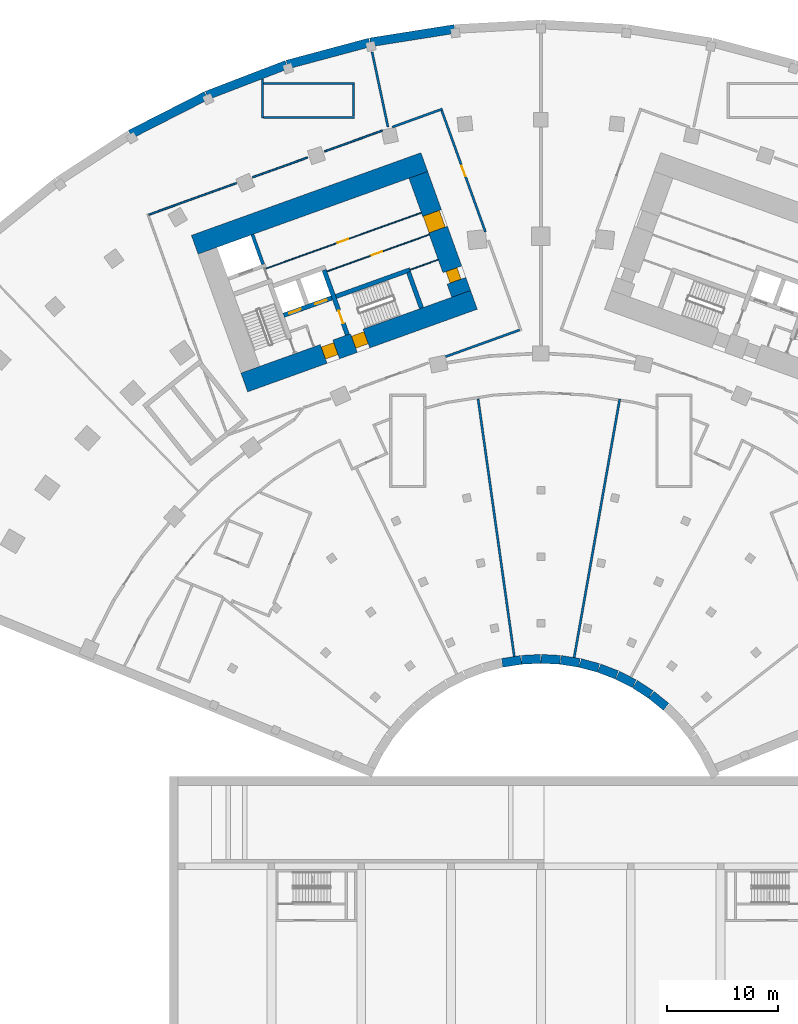
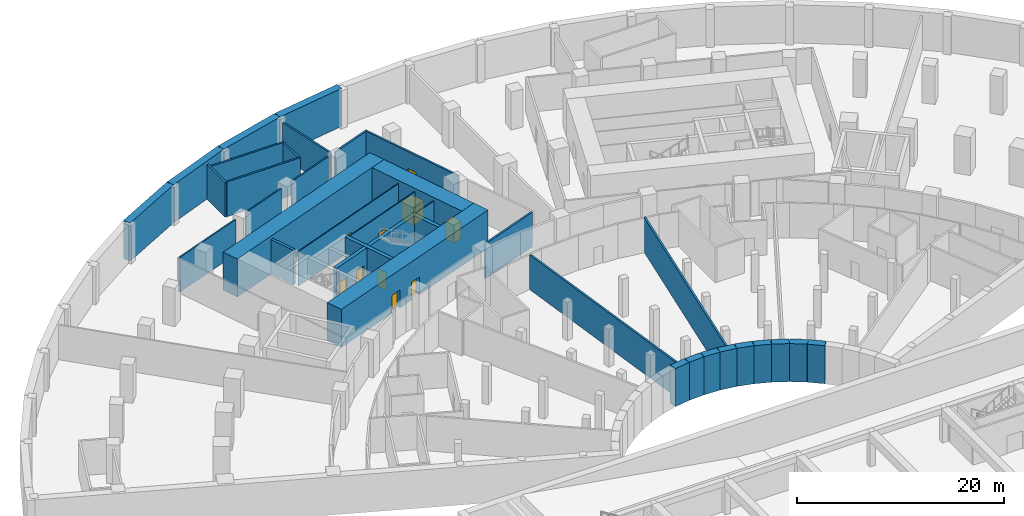
# One storey, part 9 of 21: 36 walls, 10 doors, 10 openings.
"""IFC4 building model written with IfcOpenShell, lengths in metres."""

import ifcopenshell
import ifcopenshell.guid

model = None  # the IFC model being written
_history = None  # IfcOwnerHistory: only IFC2X3 demands one
_inside = {}  # id of a spatial element -> (the spatial element, [elements in it])
_under = {}  # id of a project, library or spatial element -> (it, [spatial elements below it])
_declared = {}  # id of a project -> (the project, [libraries it declares])
_typed = {}  # id of a type object -> (the type object, [elements of that type])
_made_of = {}  # id of a material, layer set ... -> (it, [elements and type objects made of it])


def new_model(schema):
    """Start an empty IFC model of exactly this schema.

    Asked for "IFC4X3", IfcOpenShell would pick the latest addendum, in which some entities
    have other attributes; the version numbers below select the first issue.
    IFC2X3 requires an IfcOwnerHistory on every rooted entity: one is made here for all.
    """
    global model, _history
    if schema == "IFC4X3":
        model = ifcopenshell.file(schema_version=(4, 3, 0, 0))
    else:
        model = ifcopenshell.file(schema=schema)
    _inside.clear()
    _under.clear()
    _declared.clear()
    _typed.clear()
    _made_of.clear()
    _history = None
    if model.schema == "IFC2X3":
        org = make("IfcOrganization", Name="unknown")
        user = make(
            "IfcPersonAndOrganization",
            ThePerson=make("IfcPerson", FamilyName="unknown"),
            TheOrganization=org,
        )
        app = make(
            "IfcApplication",
            ApplicationDeveloper=org,
            Version="unknown",
            ApplicationFullName="unknown",
            ApplicationIdentifier="unknown",
        )
        _history = make(
            "IfcOwnerHistory",
            OwningUser=user,
            OwningApplication=app,
            ChangeAction="ADDED",
            CreationDate=0,
        )
    return model


def make(cls, **values):
    """One entity of the class cls with the attributes given. An attribute that is None is left unset."""
    return model.create_entity(
        cls, **{name: value for name, value in values.items() if value is not None}
    )


def rooted(cls, **values):
    """An entity with a GlobalId (a new one), such as an element, a storey or a relation."""
    return make(cls, GlobalId=ifcopenshell.guid.new(), OwnerHistory=_history, **values)


def si_unit(unit_type, name, prefix=None):
    """IfcSIUnit, for example si_unit("LENGTHUNIT", "METRE", prefix="MILLI")."""
    return make("IfcSIUnit", UnitType=unit_type, Prefix=prefix, Name=name)


def assignment(units):
    """IfcUnitAssignment: the units of a project."""
    return None if units is None else make("IfcUnitAssignment", Units=units)


def point(xyz):
    """IfcCartesianPoint."""
    return None if xyz is None else make("IfcCartesianPoint", Coordinates=xyz)


def direction(xyz):
    """IfcDirection."""
    return None if xyz is None else make("IfcDirection", DirectionRatios=xyz)


def frame(location, z_axis=None, x_axis=None):
    """IfcAxis2Placement3D, a coordinate frame: its origin and axes. An axis left out is left unset."""
    return make(
        "IfcAxis2Placement3D",
        Location=point(location),
        Axis=direction(z_axis),
        RefDirection=direction(x_axis),
    )


def frame_2d(location, x_axis=None):
    """IfcAxis2Placement2D, a coordinate frame in the plane: its origin and x axis."""
    return make(
        "IfcAxis2Placement2D", Location=point(location), RefDirection=direction(x_axis)
    )


def origin():
    """The frame at (0, 0, 0) with its axes left unset."""
    return frame((0.0, 0.0, 0.0))


def place(relative_to, where):
    """IfcLocalPlacement: puts the frame where relative to a parent placement (None: the world)."""
    return make(
        "IfcLocalPlacement", PlacementRelTo=relative_to, RelativePlacement=where
    )


def context(
    kind, dimensions, precision=None, world=None, true_north=None, identifier=None
):
    """IfcGeometricRepresentationContext, for example the 3D "Model" context."""
    return make(
        "IfcGeometricRepresentationContext",
        ContextIdentifier=identifier,
        ContextType=kind,
        CoordinateSpaceDimension=dimensions,
        Precision=precision,
        WorldCoordinateSystem=world,
        TrueNorth=true_north,
    )


def subcontext(parent, identifier, kind, view, scale=None):
    """IfcGeometricRepresentationSubContext, for example "Body" below "Model"."""
    return make(
        "IfcGeometricRepresentationSubContext",
        ContextIdentifier=identifier,
        ContextType=kind,
        ParentContext=parent,
        TargetScale=scale,
        TargetView=view,
    )


def project(units=None, contexts=None):
    """IfcProject with its units and contexts."""
    return rooted(
        "IfcProject",
        Name="project",
        RepresentationContexts=contexts,
        UnitsInContext=assignment(units),
    )


def spatial(cls, under=None, at=None, **own):
    """A site, building, storey or space (cls), placed at a placement, below another one or the project."""
    s = rooted(cls, ObjectPlacement=at, **own)
    if under is not None:
        _under.setdefault(under.id(), (under, []))[1].append(s)
    return s


def profile(cls, at=None, kind="AREA", **sizes):
    """A parametric profile (cls). Its sizes go by their IFC names, for example OverallWidth=200.0."""
    return make(cls, ProfileType=kind, Position=at, **sizes)


def rectangle(**sizes):
    """IfcRectangleProfileDef."""
    return profile("IfcRectangleProfileDef", **sizes)


def extrude(swept, where, along, depth):
    """IfcExtrudedAreaSolid: the profile swept, set in the frame where, extruded along a direction by depth."""
    return make(
        "IfcExtrudedAreaSolid",
        SweptArea=swept,
        Position=where,
        ExtrudedDirection=direction(along),
        Depth=depth,
    )


def shape(context_of_items, identifier, shape_type, items):
    """IfcShapeRepresentation: the items that make up one representation, for example the "Body"."""
    return make(
        "IfcShapeRepresentation",
        ContextOfItems=context_of_items,
        RepresentationIdentifier=identifier,
        RepresentationType=shape_type,
        Items=items,
    )


def material(Name=None, Category=None):
    """IfcMaterial."""
    return make("IfcMaterial", Name=Name, Category=Category)


def layer(
    of_material, thickness, ventilated=None, Name=None, Category=None, Priority=None
):
    """IfcMaterialLayer: one layer of a wall or slab, of a material (None: an air gap)."""
    return make(
        "IfcMaterialLayer",
        Material=of_material,
        LayerThickness=thickness,
        IsVentilated=ventilated,
        Name=Name,
        Category=Category,
        Priority=Priority,
    )


def layer_set(layers, Name=None):
    """IfcMaterialLayerSet."""
    return make("IfcMaterialLayerSet", MaterialLayers=layers, LayerSetName=Name)


def made_of(thing, what):
    """Note that an element or type object is made of a material, layer set ...; save() writes the relation."""
    if what is not None:
        _made_of.setdefault(what.id(), (what, []))[1].append(thing)
    return thing


def type_object(cls, material=None, **own):
    """A type object (cls), such as IfcWallType, which elements share."""
    return made_of(rooted(cls, **own), material)


def element(
    cls,
    number,
    at=None,
    inside=None,
    cuts=None,
    type_object=None,
    material=None,
    context=None,
    identifier="Body",
    shape_type=None,
    held_by="IfcProductDefinitionShape",
    body=None,
    shapes=None,
    **own,
):
    """One element of the class cls, such as IfcWall. Its Tag is "e" and its number.

    at: its placement. inside: the storey or other place that contains it. cuts: it is an
    opening in that element (IfcRelVoidsElement). A single representation is given by context,
    identifier, shape_type and body (its items); several are given by shapes. held_by: the class
    of the entity that holds the representations. save() writes the other relations.
    """
    e = rooted(cls, Tag="e%d" % number, ObjectPlacement=at, **own)
    if body is not None:
        shapes = [shape(context, identifier, shape_type, body)]
    if shapes is not None:
        e.Representation = make(held_by, Representations=shapes)
    if inside is not None:
        _inside.setdefault(inside.id(), (inside, []))[1].append(e)
    if cuts is not None:
        rooted(
            "IfcRelVoidsElement", RelatingBuildingElement=cuts, RelatedOpeningElement=e
        )
    if type_object is not None:
        _typed.setdefault(type_object.id(), (type_object, []))[1].append(e)
    return made_of(e, material)


def fill(opening, filler):
    """IfcRelFillsElement: the door or window that sits in an opening."""
    return rooted(
        "IfcRelFillsElement",
        RelatingOpeningElement=opening,
        RelatedBuildingElement=filler,
    )


def aggregate(whole, parts):
    """IfcRelAggregates: a whole, such as a stair, and the parts it consists of."""
    return rooted("IfcRelAggregates", RelatingObject=whole, RelatedObjects=parts)


def save(model, path):
    """Write the relations noted so far, then the file.

    IfcRelAggregates (storeys below a building ...), IfcRelContainedInSpatialStructure (elements
    in a storey), IfcRelDefinesByType, IfcRelAssociatesMaterial and IfcRelDeclares: one each for
    every whole, place, type object, material and project.
    """
    for whole, parts in _under.values():
        aggregate(whole, parts)
    for where, things in _inside.values():
        rooted(
            "IfcRelContainedInSpatialStructure",
            RelatedElements=things,
            RelatingStructure=where,
        )
    for kind, things in _typed.values():
        rooted("IfcRelDefinesByType", RelatedObjects=things, RelatingType=kind)
    for what, things in _made_of.values():
        rooted("IfcRelAssociatesMaterial", RelatedObjects=things, RelatingMaterial=what)
    for by, libraries in _declared.values():
        rooted("IfcRelDeclares", RelatingContext=by, RelatedDefinitions=libraries)
    model.write(path)


model = new_model("IFC4")

# Units and contexts
model_context = context("Model", 3, precision=1e-05, world=origin(), true_north=direction((0.0, 1.0)))
body_context = subcontext(model_context, "Body", "Model", "MODEL_VIEW")
ifc_project = project(units=[si_unit("LENGTHUNIT", "METRE"), si_unit("AREAUNIT", "SQUARE_METRE"), si_unit("VOLUMEUNIT", "CUBIC_METRE"), si_unit("PLANEANGLEUNIT", "RADIAN"), si_unit("MASSUNIT", "GRAM", prefix="KILO")], contexts=[model_context])

# Site, building, storey
site_placement = place(None, origin())
site = spatial("IfcSite", under=ifc_project, at=site_placement, CompositionType="ELEMENT")
building_placement = place(site_placement, origin())
building = spatial("IfcBuilding", under=site, at=building_placement, Name="Stone Belt Terrace Tower", CompositionType="ELEMENT")
storey_placement = place(building_placement, frame((0.0, 0.0, -9.0)))
storey = spatial("IfcBuildingStorey", under=building, at=storey_placement, Name="B2", CompositionType="ELEMENT", Elevation=-9.0)

# Walls
ifc_material_1 = material(Name="Concrete B30", Category="concrete")
ifc_layer_1 = layer(ifc_material_1, 0.800048828125)
ifc_layer_set_1 = layer_set([ifc_layer_1], Name="Basement wall 800 B30")
wall_type_1 = type_object("IfcWallType", Name="Basement wall 800 B30", PredefinedType="SHEAR", material=ifc_layer_set_1)
for number, where, z_axis, x_axis, name in (
    (1, (-3.4931640625, 16.534423828125, 0.0), (0.0, 0.0, 1.0), (0.987680303549, 0.156485200519, 0.0), "Basement wall B2 10"),
    (2, (-1.74560546875, 16.80908203125, 0.0), (0.0, 0.0, 1.0), (0.998631075224, 0.052306554053, 0.0), "Basement wall B2 11"),
    (3, (0.02099609375, 16.8994140625, 0.0), (0.0, 0.0, 1.0), (0.998631075224, -0.052306554053, 0.0), "Basement wall B2 12"),
    (4, (1.787353515625, 16.8046875, 0.0), (0.0, 0.0, 1.0), (0.987680303549, -0.156485200519, 0.0), "Basement wall B2 13"),
    (5, (3.5341796875, 16.52587890625, 0.0), (0.0, 0.0, 1.0), (0.965922180197, -0.258832652121, 0.0), "Basement wall B2 14"),
    (6, (5.2421875, 16.06591796875, 0.0), (0.0, 0.0, 1.0), (0.933582227874, -0.358363256763, 0.0), "Basement wall B2 15"),
    (7, (6.892822265625, 15.429931640625, 0.0), (0.0, 0.0, 1.0), (0.890980157198, -0.454042244157, 0.0), "Basement wall B2 16"),
    (8, (8.468017578125, 14.625, 0.0), (0.0, 0.0, 1.0), (0.83855986691, -0.544809461745, 0.0), "Basement wall B2 17"),
    (9, (9.9501953125, 13.65966796875, 0.0), (0.0, 0.0, 1.0), (0.777159277127, -0.629303947211, 0.0), "Basement wall B2 18"),
):
    element("IfcWall", number, at=place(storey_placement, frame(where, z_axis=z_axis, x_axis=x_axis)), inside=storey, type_object=wall_type_1, Name=name, PredefinedType="SHEAR", context=body_context, shape_type="SweptSolid", body=[
        extrude(rectangle(XDim=1.72705078125, YDim=0.800048828125, at=frame_2d((0.863525390625, 0.0))), origin(), (0.0, 0.0, 1.0), 4.5),
    ])
wall_1_placement = place(storey_placement, frame((-7.76611328125, 73.690185546875, 0.0), z_axis=(0.0, 0.0, 1.0), x_axis=(-0.987688438382, -0.156433847638, 0.0)))
element("IfcWall", 10, at=wall_1_placement, inside=storey, type_object=wall_type_1, Name="Basement wall B2 37", PredefinedType="SHEAR", context=body_context, shape_type="SweptSolid", body=[
    extrude(rectangle(XDim=7.71435546875, YDim=0.800048828125, at=frame_2d((3.857177734375, 0.0))), origin(), (0.0, 0.0, 1.0), 4.5),
])
wall_2_placement = place(storey_placement, frame((-15.426513671875, 72.474853515625, 0.0), z_axis=(0.0, 0.0, 1.0), x_axis=(-0.965924317831, -0.25882467468, 0.0)))
element("IfcWall", 11, at=wall_2_placement, inside=storey, type_object=wall_type_1, Name="Basement wall B2 38", PredefinedType="SHEAR", context=body_context, shape_type="SweptSolid", body=[
    extrude(rectangle(XDim=7.714111328125, YDim=0.800048828125, at=frame_2d((3.85693359375, 0.0))), origin(), (0.0, 0.0, 1.0), 4.5),
])
wall_3_placement = place(storey_placement, frame((-22.91748046875, 70.46533203125, 0.0), z_axis=(0.0, 0.0, 1.0), x_axis=(-0.933576245877, -0.358378840243, 0.0)))
element("IfcWall", 12, at=wall_3_placement, inside=storey, type_object=wall_type_1, Name="Basement wall B2 39", PredefinedType="SHEAR", context=body_context, shape_type="SweptSolid", body=[
    extrude(rectangle(XDim=7.71435546875, YDim=0.800048828125, at=frame_2d((3.857177734375, 0.0))), origin(), (0.0, 0.0, 1.0), 4.5),
])
wall_4_placement = place(storey_placement, frame((-30.15771484375, 67.68359375, 0.0), z_axis=(0.0, 0.0, 1.0), x_axis=(-0.89100229919, -0.45399879167, 0.0)))
element("IfcWall", 13, at=wall_4_placement, inside=storey, type_object=wall_type_1, Name="Basement wall B2 40", PredefinedType="SHEAR", context=body_context, shape_type="SweptSolid", body=[
    extrude(rectangle(XDim=7.714111328125, YDim=0.800048828125, at=frame_2d((3.85693359375, 0.0))), origin(), (0.0, 0.0, 1.0), 4.5),
])

# Wall, opening, door
ifc_material_2 = material(Name="Plasterboard partition")
ifc_layer_2 = layer(ifc_material_2, 0.10009765625)
ifc_layer_set_2 = layer_set([ifc_layer_2], Name="Core partition 100")
wall_type_2 = type_object("IfcWallType", Name="Core partition 100", PredefinedType="PARTITIONING", material=ifc_layer_set_2)
wall_5_placement = place(storey_placement, frame((-24.847412109375, 52.061767578125, 0.0), z_axis=(0.0, 0.0, 1.0), x_axis=(0.940921131887, 0.338625786921, 0.0)))
wall_5 = element("IfcWall", 14, at=wall_5_placement, inside=storey, type_object=wall_type_2, Name="Core A wall", PredefinedType="PARTITIONING", context=body_context, shape_type="SweptSolid", body=[
    extrude(rectangle(XDim=14.9501953125, YDim=0.10009765625, at=frame_2d((7.47509765625, 0.0))), origin(), (0.0, 0.0, 1.0), 4.10009765625),
])
opening_1_placement = place(wall_5_placement, frame((6.949951171875, 0.0, 0.0)))
opening_1 = element("IfcOpeningElement", 15, at=opening_1_placement, cuts=wall_5, Name="Opening B2-C01", PredefinedType="OPENING", context=body_context, shape_type="SweptSolid", body=[
    extrude(rectangle(XDim=1.0, YDim=2.10009765625, at=frame_2d((0.5, 1.050048828125))), frame((0.0, 0.06005859375, 0.0), z_axis=(0.0, -1.0, 0.0), x_axis=(1.0, 0.0, 0.0)), (0.0, 0.0, 1.0), 0.1201171875),
])
ifc_material_3 = material(Name="Timber door leaf", Category="wood")
door_type_1 = type_object("IfcDoorType", Name="Core room door 1000", OperationType="SINGLE_SWING_LEFT", PredefinedType="DOOR", material=ifc_material_3)
door_1_placement = place(opening_1_placement, origin())
door_1 = element("IfcDoor", 16, at=door_1_placement, inside=storey, type_object=door_type_1, Name="Door to Chilled water pump room core A", OperationType="SINGLE_SWING_LEFT", OverallHeight=2.10009765625, OverallWidth=1.0, PredefinedType="DOOR", context=body_context, shape_type="SweptSolid", body=[
    extrude(rectangle(XDim=1.0, YDim=2.10009765625, at=frame_2d((0.5, 1.050048828125))), frame((0.0, 0.02490234375, 0.0), z_axis=(0.0, -1.0, 0.0), x_axis=(1.0, 0.0, 0.0)), (0.0, 0.0, 1.0), 0.050048828125),
])
fill(opening_1, door_1)

wall_6_placement = place(storey_placement, frame((-19.29052734375, 51.829833984375, 0.0), z_axis=(0.0, 0.0, 1.0), x_axis=(0.940925833398, 0.338612722803, 0.0)))
wall_6 = element("IfcWall", 17, at=wall_6_placement, inside=storey, type_object=wall_type_2, Name="Core A wall", PredefinedType="PARTITIONING", context=body_context, shape_type="SweptSolid", body=[
    extrude(rectangle(XDim=9.7998046875, YDim=0.10009765625, at=frame_2d((4.89990234375, 0.0))), origin(), (0.0, 0.0, 1.0), 4.10009765625),
])
opening_2_placement = place(wall_6_placement, frame((4.300048828125, 0.0, 0.0)))
opening_2 = element("IfcOpeningElement", 18, at=opening_2_placement, cuts=wall_6, Name="Opening B2-C02", PredefinedType="OPENING", context=body_context, shape_type="SweptSolid", body=[
    extrude(rectangle(XDim=1.0, YDim=2.10009765625, at=frame_2d((0.5, 1.050048828125))), frame((0.0, 0.06005859375, 0.0), z_axis=(0.0, -1.0, 0.0), x_axis=(1.0, 0.0, 0.0)), (0.0, 0.0, 1.0), 0.1201171875),
])
door_2_placement = place(opening_2_placement, origin())
door_2 = element("IfcDoor", 19, at=door_2_placement, inside=storey, type_object=door_type_1, Name="Door to Fire pump room core A", OperationType="SINGLE_SWING_LEFT", OverallHeight=2.10009765625, OverallWidth=1.0, PredefinedType="DOOR", context=body_context, shape_type="SweptSolid", body=[
    extrude(rectangle(XDim=1.0, YDim=2.10009765625, at=frame_2d((0.5, 1.050048828125))), frame((0.0, 0.02490234375, 0.0), z_axis=(0.0, -1.0, 0.0), x_axis=(1.0, 0.0, 0.0)), (0.0, 0.0, 1.0), 0.050048828125),
])
fill(opening_2, door_2)

# Wall
wall_7_placement = place(storey_placement, frame((-11.797119140625, 51.975830078125, 0.0), z_axis=(0.0, 0.0, 1.0), x_axis=(0.940910465161, 0.33865542451, 0.0)))
element("IfcWall", 20, at=wall_7_placement, inside=storey, type_object=wall_type_2, Name="Core A wall", PredefinedType="PARTITIONING", context=body_context, shape_type="SweptSolid", body=[
    extrude(rectangle(XDim=2.69970703125, YDim=0.10009765625, at=frame_2d((1.349853515625, 0.0))), origin(), (0.0, 0.0, 1.0), 4.10009765625),
])

# Wall, openings, doors
ifc_material_4 = material(Name="Concrete B80", Category="concrete")
ifc_layer_3 = layer(ifc_material_4, 1.800048828125)
ifc_layer_set_3 = layer_set([ifc_layer_3], Name="Core wall 1800 B80")
wall_type_3 = type_object("IfcWallType", Name="Core wall 1800 B80", PredefinedType="SHEAR", material=ifc_layer_set_3)
wall_8_placement = place(storey_placement, frame((-26.739501953125, 41.815673828125, 0.0), z_axis=(0.0, 0.0, 1.0), x_axis=(0.940921642213, 0.338624368902, 0.0)))
wall_8 = element("IfcWall", 21, at=wall_8_placement, inside=storey, type_object=wall_type_3, Name="Core A wall concave B2", PredefinedType="SHEAR", context=body_context, shape_type="SweptSolid", body=[
    extrude(rectangle(XDim=22.0, YDim=1.800048828125, at=frame_2d((11.0, 0.0))), origin(), (0.0, 0.0, 1.0), 4.5),
])
opening_3_placement = place(wall_8_placement, frame((7.60009765625, 0.0, 0.0)))
opening_3 = element("IfcOpeningElement", 22, at=opening_3_placement, cuts=wall_8, Name="Opening B2-C07", PredefinedType="OPENING", context=body_context, shape_type="SweptSolid", body=[
    extrude(rectangle(XDim=1.199951171875, YDim=2.10009765625, at=frame_2d((0.60009765625, 1.050048828125))), frame((0.0, 0.909912109375, 0.0), z_axis=(0.0, -1.0, 0.0), x_axis=(1.0, 0.0, 0.0)), (0.0, 0.0, 1.0), 1.820068359375),
])
opening_4_placement = place(wall_8_placement, frame((10.5, 0.0, 0.0)))
opening_4 = element("IfcOpeningElement", 23, at=opening_4_placement, cuts=wall_8, Name="Opening B2-C09", PredefinedType="OPENING", context=body_context, shape_type="SweptSolid", body=[
    extrude(rectangle(XDim=1.199951171875, YDim=2.10009765625, at=frame_2d((0.60009765625, 1.050048828125))), frame((0.0, 0.909912109375, 0.0), z_axis=(0.0, -1.0, 0.0), x_axis=(1.0, 0.0, 0.0)), (0.0, 0.0, 1.0), 1.820068359375),
])
ifc_material_5 = material(Name="Steel door leaf", Category="steel")
door_type_2 = type_object("IfcDoorType", Name="Fire-fighting lobby door 1200", OperationType="SINGLE_SWING_LEFT", PredefinedType="DOOR", material=ifc_material_5)
door_3_placement = place(opening_3_placement, origin())
door_3 = element("IfcDoor", 24, at=door_3_placement, inside=storey, type_object=door_type_2, Name="Fire-fighting lobby door core A", OperationType="SINGLE_SWING_LEFT", OverallHeight=2.10009765625, OverallWidth=1.199951171875, PredefinedType="DOOR", context=body_context, shape_type="SweptSolid", body=[
    extrude(rectangle(XDim=1.199951171875, YDim=2.10009765625, at=frame_2d((0.60009765625, 1.050048828125))), frame((0.0, 0.655029296875, 0.0), z_axis=(0.0, -1.0, 0.0), x_axis=(1.0, 0.0, 0.0)), (0.0, 0.0, 1.0), 1.14990234375),
])
fill(opening_3, door_3)
door_type_3 = type_object("IfcDoorType", Name="Stair door 1200", OperationType="SINGLE_SWING_LEFT", PredefinedType="DOOR", material=ifc_material_5)
door_4_placement = place(opening_4_placement, origin())
door_4 = element("IfcDoor", 25, at=door_4_placement, inside=storey, type_object=door_type_3, Name="Stair 2 exit door core A", OperationType="SINGLE_SWING_RIGHT", OverallHeight=2.10009765625, OverallWidth=1.199951171875, PredefinedType="DOOR", context=body_context, shape_type="SweptSolid", body=[
    extrude(rectangle(XDim=1.199951171875, YDim=2.10009765625, at=frame_2d((0.60009765625, 1.050048828125))), frame((0.0, 0.655029296875, 0.0), z_axis=(0.0, -1.0, 0.0), x_axis=(1.0, 0.0, 0.0)), (0.0, 0.0, 1.0), 1.14990234375),
])
fill(opening_4, door_4)

# Wall
wall_9_placement = place(storey_placement, frame((-31.20947265625, 54.23583984375, 0.0), z_axis=(0.0, 0.0, 1.0), x_axis=(0.940922914687, 0.338620833112, 0.0)))
element("IfcWall", 26, at=wall_9_placement, inside=storey, type_object=wall_type_3, Name="Core A wall convex B2", PredefinedType="SHEAR", context=body_context, shape_type="SweptSolid", body=[
    extrude(rectangle(XDim=22.000244140625, YDim=1.800048828125, at=frame_2d((11.0, 0.0))), origin(), (0.0, 0.0, 1.0), 4.5),
])

# Wall, openings, doors
wall_10_placement = place(storey_placement, frame((-7.19091796875, 49.8076171875, 0.0), z_axis=(0.0, 0.0, 1.0), x_axis=(-0.338632255135, 0.940918804033, 0.0)))
wall_10 = element("IfcWall", 27, at=wall_10_placement, inside=storey, type_object=wall_type_3, Name="Core A wall end_b B2", PredefinedType="SHEAR", context=body_context, shape_type="SweptSolid", body=[
    extrude(rectangle(XDim=11.39990234375, YDim=1.800048828125, at=frame_2d((5.699951171875, 0.0))), origin(), (0.0, 0.0, 1.0), 4.5),
])
opening_5_placement = place(wall_10_placement, frame((6.14990234375, 0.0, 0.0)))
opening_5 = element("IfcOpeningElement", 28, at=opening_5_placement, cuts=wall_10, Name="Opening B2-C04", PredefinedType="OPENING", context=body_context, shape_type="SweptSolid", body=[
    extrude(rectangle(XDim=1.60009765625, YDim=2.10009765625, at=frame_2d((0.800048828125, 1.050048828125))), frame((0.0, 0.909912109375, 0.0), z_axis=(0.0, -1.0, 0.0), x_axis=(1.0, 0.0, 0.0)), (0.0, 0.0, 1.0), 1.820068359375),
])
opening_6_placement = place(wall_10_placement, frame((1.25, 0.0, 0.0)))
opening_6 = element("IfcOpeningElement", 29, at=opening_6_placement, cuts=wall_10, Name="Opening B2-C10", PredefinedType="OPENING", context=body_context, shape_type="SweptSolid", body=[
    extrude(rectangle(XDim=1.10009765625, YDim=2.10009765625, at=frame_2d((0.550048828125, 1.050048828125))), frame((0.0, 0.909912109375, 0.0), z_axis=(0.0, -1.0, 0.0), x_axis=(1.0, 0.0, 0.0)), (0.0, 0.0, 1.0), 1.820068359375),
])
door_type_4 = type_object("IfcDoorType", Name="Core room door 1100", OperationType="SINGLE_SWING_LEFT", PredefinedType="DOOR", material=ifc_material_3)
door_5_placement = place(opening_6_placement, origin())
door_5 = element("IfcDoor", 30, at=door_5_placement, inside=storey, type_object=door_type_4, Name="Door to Switch room core A", OperationType="SINGLE_SWING_LEFT", OverallHeight=2.10009765625, OverallWidth=1.10009765625, PredefinedType="DOOR", context=body_context, shape_type="SweptSolid", body=[
    extrude(rectangle(XDim=1.10009765625, YDim=2.10009765625, at=frame_2d((0.550048828125, 1.050048828125))), frame((0.0, 0.60498046875, 0.0), z_axis=(0.0, -1.0, 0.0), x_axis=(1.0, 0.0, 0.0)), (0.0, 0.0, 1.0), 1.050048828125),
])
fill(opening_6, door_5)
ifc_material_6 = material(Name="Glazed aluminium door leaf", Category="aluminium")
door_type_5 = type_object("IfcDoorType", Name="Lift lobby entrance door 1600", OperationType="DOUBLE_DOOR_SINGLE_SWING", PredefinedType="DOOR", material=ifc_material_6)
door_6_placement = place(opening_5_placement, origin())
door_6 = element("IfcDoor", 31, at=door_6_placement, inside=storey, type_object=door_type_5, Name="Lift lobby entrance door core A", OperationType="DOUBLE_DOOR_SINGLE_SWING", OverallHeight=2.10009765625, OverallWidth=1.60009765625, PredefinedType="DOOR", context=body_context, shape_type="SweptSolid", body=[
    extrude(rectangle(XDim=1.60009765625, YDim=2.10009765625, at=frame_2d((0.800048828125, 1.050048828125))), frame((0.0, 0.85498046875, 0.0), z_axis=(0.0, -1.0, 0.0), x_axis=(1.0, 0.0, 0.0)), (0.0, 0.0, 1.0), 1.550048828125),
])
fill(opening_5, door_6)

# Walls
ifc_layer_4 = layer(ifc_material_4, 0.300048828125)
ifc_layer_set_4 = layer_set([ifc_layer_4], Name="Lift shaft wall 300")
wall_type_4 = type_object("IfcWallType", Name="Lift shaft wall 300", PredefinedType="SHEAR", material=ifc_layer_set_4)
wall_11_placement = place(storey_placement, frame((-25.046875, 52.46826171875, 0.0), z_axis=(0.0, 0.0, 1.0), x_axis=(-0.338549588058, 0.940948551423, 0.0)))
element("IfcWall", 32, at=wall_11_placement, inside=storey, type_object=wall_type_4, Name="Core A wall", PredefinedType="SHEAR", context=body_context, shape_type="SweptSolid", body=[
    extrude(rectangle(XDim=2.849853515625, YDim=0.300048828125, at=frame_2d((1.4248046875, 0.0))), origin(), (0.0, 0.0, 1.0), 4.10009765625),
])
ifc_material_7 = material(Name="Blockwork wall, plastered both faces", Category="masonry")
ifc_layer_5 = layer(ifc_material_7, 0.199951171875)
ifc_layer_set_5 = layer_set([ifc_layer_5], Name="Podium demising wall 200")
wall_type_5 = type_object("IfcWallType", Name="Podium demising wall 200", PredefinedType="PARTITIONING", material=ifc_layer_set_5)
wall_12_placement = place(storey_placement, frame((-15.22021484375, 71.618408203125, 0.0), z_axis=(0.0, 0.0, 1.0), x_axis=(0.207089788277, -0.978321940667, 0.0)))
element("IfcWall", 33, at=wall_12_placement, inside=storey, type_object=wall_type_5, Name="Podium demising wall 200", PredefinedType="PARTITIONING", context=body_context, shape_type="SweptSolid", body=[
    extrude(rectangle(XDim=6.9189453125, YDim=0.199951171875, at=frame_2d((3.45947265625, 0.0))), origin(), (0.0, 0.0, 1.0), 4.10009765625),
])
wall_13_placement = place(storey_placement, frame((-13.40283203125, 64.83935546875, 0.0), z_axis=(0.0, 0.0, 1.0), x_axis=(0.940308759681, 0.340322547691, 0.0)))
element("IfcWall", 34, at=wall_13_placement, inside=storey, type_object=wall_type_5, Name="Podium demising wall 200", PredefinedType="PARTITIONING", context=body_context, shape_type="SweptSolid", body=[
    extrude(rectangle(XDim=4.803466796875, YDim=0.199951171875, at=frame_2d((2.40185546875, 0.0))), origin(), (0.0, 0.0, 1.0), 4.10009765625),
])

# Wall, opening, door
wall_14_placement = place(storey_placement, frame((-8.946044921875, 66.345947265625, 0.0), z_axis=(0.0, 0.0, 1.0), x_axis=(0.338735066234, -0.940881796457, 0.0)))
wall_14 = element("IfcWall", 35, at=wall_14_placement, inside=storey, type_object=wall_type_5, Name="Podium demising wall 200", PredefinedType="PARTITIONING", context=body_context, shape_type="SweptSolid", body=[
    extrude(rectangle(XDim=11.63916015625, YDim=0.199951171875, at=frame_2d((5.819580078125, 0.0))), origin(), (0.0, 0.0, 1.0), 4.10009765625),
])
opening_7_placement = place(wall_14_placement, frame((5.319580078125, 0.0, 0.0)))
opening_7 = element("IfcOpeningElement", 36, at=opening_7_placement, cuts=wall_14, Name="Opening B2-P12", PredefinedType="OPENING", context=body_context, shape_type="SweptSolid", body=[
    extrude(rectangle(XDim=1.0, YDim=2.10009765625, at=frame_2d((0.5, 1.050048828125))), frame((0.0, 0.10986328125, 0.0), z_axis=(0.0, -1.0, 0.0), x_axis=(1.0, 0.0, 0.0)), (0.0, 0.0, 1.0), 0.219970703125),
])
ifc_material_8 = material(Name="Steel framed door leaf", Category="steel")
door_type_6 = type_object("IfcDoorType", Name="Podium door single 1000", OperationType="SINGLE_SWING_LEFT", PredefinedType="DOOR", material=ifc_material_8)
door_7_placement = place(opening_7_placement, origin())
door_7 = element("IfcDoor", 37, at=door_7_placement, inside=storey, type_object=door_type_6, Name="Podium door single 1000", OperationType="SINGLE_SWING_RIGHT", OverallHeight=2.10009765625, OverallWidth=1.0, PredefinedType="DOOR", context=body_context, shape_type="SweptSolid", body=[
    extrude(rectangle(XDim=1.0, YDim=2.10009765625, at=frame_2d((0.5, 1.050048828125))), frame((0.0, 0.02490234375, 0.0), z_axis=(0.0, -1.0, 0.0), x_axis=(1.0, 0.0, 0.0)), (0.0, 0.0, 1.0), 0.050048828125),
])
fill(opening_7, door_7)

# Walls
wall_15_placement = place(storey_placement, frame((-8.594970703125, 44.14306640625, 0.0), z_axis=(0.0, 0.0, 1.0), x_axis=(0.940817601432, 0.338913323485, 0.0)))
element("IfcWall", 38, at=wall_15_placement, inside=storey, type_object=wall_type_5, Name="Podium demising wall 200", PredefinedType="PARTITIONING", context=body_context, shape_type="SweptSolid", body=[
    extrude(rectangle(XDim=7.090576171875, YDim=0.199951171875, at=frame_2d((3.54541015625, 0.0))), origin(), (0.0, 0.0, 1.0), 4.10009765625),
])
wall_16_placement = place(storey_placement, frame((-5.665283203125, 40.344970703125, 0.0), z_axis=(0.0, 0.0, 1.0), x_axis=(0.139163933057, -0.990269357163, 0.0)))
element("IfcWall", 39, at=wall_16_placement, inside=storey, type_object=wall_type_5, Name="Podium demising wall 200", PredefinedType="PARTITIONING", context=body_context, shape_type="SweptSolid", body=[
    extrude(rectangle(XDim=23.457275390625, YDim=0.199951171875, at=frame_2d((11.728515625, 0.0))), origin(), (0.0, 0.0, 1.0), 4.10009765625),
])
wall_17_placement = place(storey_placement, frame((3.0, 17.02001953125, 0.0), z_axis=(0.0, 0.0, 1.0), x_axis=(0.173545237534, 0.984825898588, 0.0)))
element("IfcWall", 40, at=wall_17_placement, inside=storey, type_object=wall_type_5, Name="Podium demising wall 200", PredefinedType="PARTITIONING", context=body_context, shape_type="SweptSolid", body=[
    extrude(rectangle(XDim=23.667724609375, YDim=0.199951171875, at=frame_2d((11.833984375, 0.0))), origin(), (0.0, 0.0, 1.0), 4.10009765625),
])
ifc_material_9 = material(Name="Gypsum board on steel stud partition", Category="steel")
ifc_layer_6 = layer(ifc_material_9, 0.14990234375)
ifc_layer_set_6 = layer_set([ifc_layer_6], Name="Podium partition 150")
wall_type_6 = type_object("IfcWallType", Name="Podium partition 150", PredefinedType="PARTITIONING", material=ifc_layer_set_6)
wall_18_placement = place(storey_placement, frame((-35.349365234375, 56.9453125, 0.0), z_axis=(0.0, 0.0, 1.0), x_axis=(0.940899267559, 0.33868653399, 0.0)))
element("IfcWall", 41, at=wall_18_placement, inside=storey, type_object=wall_type_6, Name="Podium partition 150", PredefinedType="PARTITIONING", context=body_context, shape_type="SweptSolid", body=[
    extrude(rectangle(XDim=8.39990234375, YDim=0.14990234375, at=frame_2d((4.199951171875, 0.0))), origin(), (0.0, 0.0, 1.0), 4.10009765625),
])
wall_19_placement = place(storey_placement, frame((-25.98974609375, 60.314453125, 0.0), z_axis=(0.0, 0.0, 1.0), x_axis=(0.940913958876, 0.338645717516, 0.0)))
element("IfcWall", 42, at=wall_19_placement, inside=storey, type_object=wall_type_6, Name="Podium partition 150", PredefinedType="PARTITIONING", context=body_context, shape_type="SweptSolid", body=[
    extrude(rectangle(XDim=5.275146484375, YDim=0.14990234375, at=frame_2d((2.6376953125, 0.0))), origin(), (0.0, 0.0, 1.0), 4.10009765625),
])
wall_20_placement = place(storey_placement, frame((-19.5126953125, 62.645751953125, 0.0), z_axis=(0.0, 0.0, 1.0), x_axis=(0.940896911821, 0.338693078355, 0.0)))
element("IfcWall", 43, at=wall_20_placement, inside=storey, type_object=wall_type_6, Name="Podium partition 150", PredefinedType="PARTITIONING", context=body_context, shape_type="SweptSolid", body=[
    extrude(rectangle(XDim=5.569091796875, YDim=0.14990234375, at=frame_2d((2.78466796875, 0.0))), origin(), (0.0, 0.0, 1.0), 4.10009765625),
])
ifc_layer_7 = layer(ifc_material_1, 0.199951171875)
ifc_layer_set_7 = layer_set([ifc_layer_7], Name="Podium stair and shaft wall 200")
wall_type_7 = type_object("IfcWallType", Name="Podium stair and shaft wall 200", PredefinedType="SOLIDWALL", material=ifc_layer_set_7)
wall_21_placement = place(storey_placement, frame((-25.110107421875, 65.657958984375, 0.0), z_axis=(0.0, 0.0, 1.0), x_axis=(0.0, 1.0, 0.0)))
element("IfcWall", 44, at=wall_21_placement, inside=storey, type_object=wall_type_7, Name="Podium stair and shaft wall 200", PredefinedType="SOLIDWALL", context=body_context, shape_type="SweptSolid", body=[
    extrude(rectangle(XDim=3.498291015625, YDim=0.199951171875, at=frame_2d((1.7490234375, 0.0))), origin(), (0.0, 0.0, 1.0), 4.10009765625),
])
for number, where, z_axis, x_axis, name in (
    (45, (-25.010009765625, 65.719970703125, 0.0), (0.0, 0.0, 1.0), (1.0, 0.0, 0.0), "Podium stair and shaft wall 200"),
    (46, (-25.010009765625, 68.780029296875, 0.0), (0.0, 0.0, 1.0), (1.0, 0.0, 0.0), "Podium stair and shaft wall 200"),
):
    element("IfcWall", number, at=place(storey_placement, frame(where, z_axis=z_axis, x_axis=x_axis)), inside=storey, type_object=wall_type_7, Name=name, PredefinedType="SOLIDWALL", context=body_context, shape_type="SweptSolid", body=[
        extrude(rectangle(XDim=8.219970703125, YDim=0.199951171875, at=frame_2d((4.10986328125, 0.0))), origin(), (0.0, 0.0, 1.0), 4.10009765625),
    ])
wall_22_placement = place(storey_placement, frame((-16.889892578125, 65.820068359375, 0.0), z_axis=(0.0, 0.0, 1.0), x_axis=(0.0, 1.0, 0.0)))
element("IfcWall", 47, at=wall_22_placement, inside=storey, type_object=wall_type_7, Name="Podium stair and shaft wall 200", PredefinedType="SOLIDWALL", context=body_context, shape_type="SweptSolid", body=[
    extrude(rectangle(XDim=2.85986328125, YDim=0.199951171875, at=frame_2d((1.429931640625, 0.0))), origin(), (0.0, 0.0, 1.0), 4.10009765625),
])

# Wall, openings, doors
ifc_layer_8 = layer(ifc_material_4, 0.39990234375)
ifc_layer_set_8 = layer_set([ifc_layer_8], Name="Stair enclosure wall 400")
wall_type_8 = type_object("IfcWallType", Name="Stair enclosure wall 400", PredefinedType="SHEAR", material=ifc_layer_set_8)
wall_23_placement = place(storey_placement, frame((-23.182373046875, 47.87841796875, 0.0), z_axis=(0.0, 0.0, 1.0), x_axis=(0.940921101762, 0.338625870628, 0.0)))
wall_23 = element("IfcWall", 48, at=wall_23_placement, inside=storey, type_object=wall_type_8, Name="Core A wall", PredefinedType="SHEAR", context=body_context, shape_type="SweptSolid", body=[
    extrude(rectangle(XDim=12.10009765625, YDim=0.39990234375, at=frame_2d((6.050048828125, 0.0))), origin(), (0.0, 0.0, 1.0), 4.10009765625),
])
opening_8_placement = place(wall_23_placement, frame((0.52001953125, 0.0, 0.0)))
opening_8 = element("IfcOpeningElement", 49, at=opening_8_placement, cuts=wall_23, Name="Opening B2-LD01", PredefinedType="OPENING", context=body_context, shape_type="SweptSolid", body=[
    extrude(rectangle(XDim=1.10009765625, YDim=2.199951171875, at=frame_2d((0.550048828125, 1.10009765625))), frame((0.0, 0.2099609375, 0.0), z_axis=(0.0, -1.0, 0.0), x_axis=(1.0, 0.0, 0.0)), (0.0, 0.0, 1.0), 0.419921875),
])
opening_9_placement = place(wall_23_placement, frame((3.02001953125, 0.0, 0.0)))
opening_9 = element("IfcOpeningElement", 50, at=opening_9_placement, cuts=wall_23, Name="Opening B2-LD02", PredefinedType="OPENING", context=body_context, shape_type="SweptSolid", body=[
    extrude(rectangle(XDim=1.10009765625, YDim=2.199951171875, at=frame_2d((0.550048828125, 1.10009765625))), frame((0.0, 0.2099609375, 0.0), z_axis=(0.0, -1.0, 0.0), x_axis=(1.0, 0.0, 0.0)), (0.0, 0.0, 1.0), 0.419921875),
])
ifc_material_10 = material(Name="Stainless steel door leaf", Category="steel")
door_type_7 = type_object("IfcDoorType", Name="Landing door 1100", OperationType="SLIDING_TO_LEFT", PredefinedType="DOOR", material=ifc_material_10)
door_8_placement = place(opening_8_placement, origin())
door_8 = element("IfcDoor", 51, at=door_8_placement, inside=storey, type_object=door_type_7, Name="Landing door FF1 core A", OperationType="SLIDING_TO_LEFT", OverallHeight=2.199951171875, OverallWidth=1.10009765625, PredefinedType="DOOR", context=body_context, shape_type="SweptSolid", body=[
    extrude(rectangle(XDim=1.10009765625, YDim=2.199951171875, at=frame_2d((0.550048828125, 1.10009765625))), frame((0.0, 0.02490234375, 0.0), z_axis=(0.0, -1.0, 0.0), x_axis=(1.0, 0.0, 0.0)), (0.0, 0.0, 1.0), 0.050048828125),
])
fill(opening_8, door_8)
door_9_placement = place(opening_9_placement, origin())
door_9 = element("IfcDoor", 52, at=door_9_placement, inside=storey, type_object=door_type_7, Name="Landing door FF2 core A", OperationType="SLIDING_TO_LEFT", OverallHeight=2.199951171875, OverallWidth=1.10009765625, PredefinedType="DOOR", context=body_context, shape_type="SweptSolid", body=[
    extrude(rectangle(XDim=1.10009765625, YDim=2.199951171875, at=frame_2d((0.550048828125, 1.10009765625))), frame((0.0, 0.02490234375, 0.0), z_axis=(0.0, -1.0, 0.0), x_axis=(1.0, 0.0, 0.0)), (0.0, 0.0, 1.0), 0.050048828125),
])
fill(opening_9, door_9)

# Wall, opening, door
wall_24_placement = place(storey_placement, frame((-17.447021484375, 46.116455078125, 0.0), z_axis=(0.0, 0.0, 1.0), x_axis=(-0.33860791464, 0.940927563707, 0.0)))
wall_24 = element("IfcWall", 53, at=wall_24_placement, inside=storey, type_object=wall_type_8, Name="Core A wall", PredefinedType="SHEAR", context=body_context, shape_type="SweptSolid", body=[
    extrude(rectangle(XDim=6.199951171875, YDim=0.39990234375, at=frame_2d((3.10009765625, 0.0))), origin(), (0.0, 0.0, 1.0), 4.10009765625),
])
opening_10_placement = place(wall_24_placement, frame((1.10009765625, 0.0, 0.0)))
opening_10 = element("IfcOpeningElement", 54, at=opening_10_placement, cuts=wall_24, Name="Opening B2-C08", PredefinedType="OPENING", context=body_context, shape_type="SweptSolid", body=[
    extrude(rectangle(XDim=1.199951171875, YDim=2.10009765625, at=frame_2d((0.60009765625, 1.050048828125))), frame((0.0, 0.2099609375, 0.0), z_axis=(0.0, -1.0, 0.0), x_axis=(1.0, 0.0, 0.0)), (0.0, 0.0, 1.0), 0.419921875),
])
door_10_placement = place(opening_10_placement, origin())
door_10 = element("IfcDoor", 55, at=door_10_placement, inside=storey, type_object=door_type_3, Name="Stair 2 door core A", OperationType="SINGLE_SWING_LEFT", OverallHeight=2.10009765625, OverallWidth=1.199951171875, PredefinedType="DOOR", context=body_context, shape_type="SweptSolid", body=[
    extrude(rectangle(XDim=1.199951171875, YDim=2.10009765625, at=frame_2d((0.60009765625, 1.050048828125))), frame((0.0, 0.02490234375, 0.0), z_axis=(0.0, -1.0, 0.0), x_axis=(1.0, 0.0, 0.0)), (0.0, 0.0, 1.0), 0.050048828125),
])
fill(opening_10, door_10)

# Wall
wall_25_placement = place(storey_placement, frame((-10.766357421875, 48.520751953125, 0.0), z_axis=(0.0, 0.0, 1.0), x_axis=(-0.338621735342, 0.94092258999, 0.0)))
element("IfcWall", 56, at=wall_25_placement, inside=storey, type_object=wall_type_8, Name="Core A wall", PredefinedType="SHEAR", context=body_context, shape_type="SweptSolid", body=[
    extrude(rectangle(XDim=3.449951171875, YDim=0.39990234375, at=frame_2d((1.72509765625, 0.0))), origin(), (0.0, 0.0, 1.0), 4.10009765625),
])

save(model, "model.ifc")
